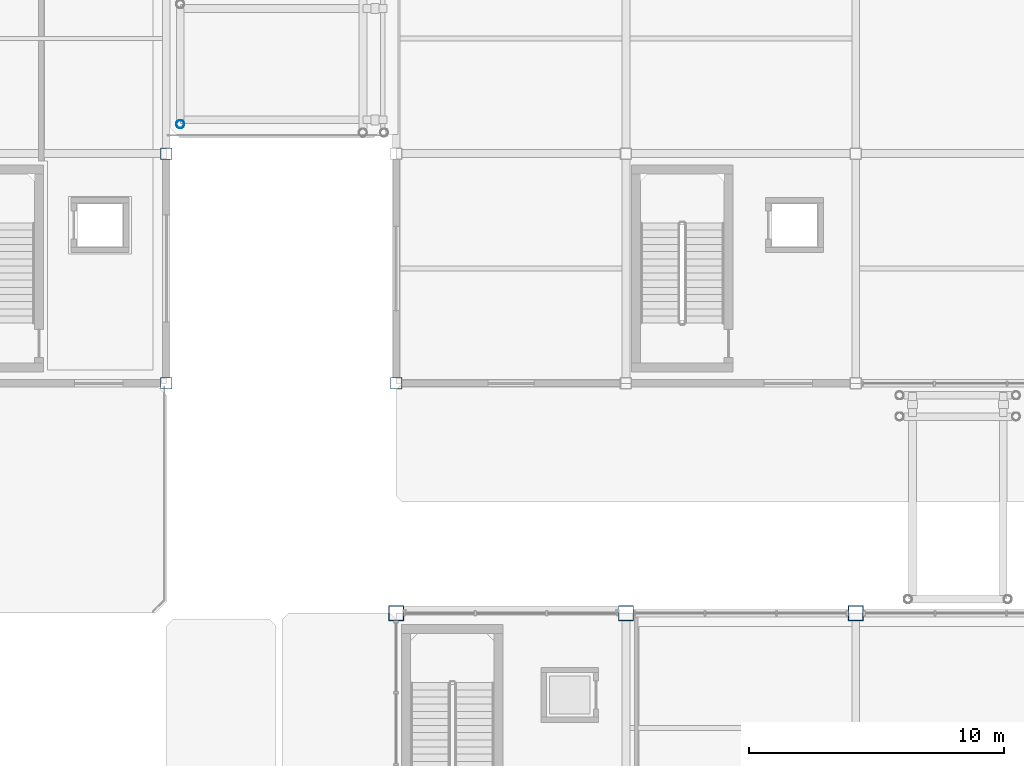
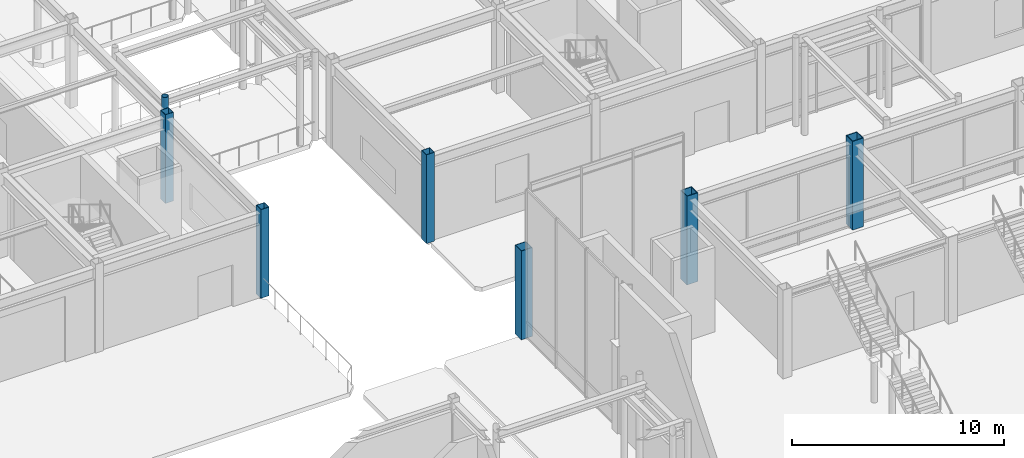
# One storey, part 14 of 123: 7 columns.
"""IFC4 building model written with IfcOpenShell, lengths in metres."""

from ifc_helpers import new_model, si_unit, direction, frame, origin, origin_2d, place, context, subcontext, project, spatial, hollow_rectangle, hollow_circle, extrude, material, material_profile, profile_set, type_object, element, save


model = new_model("IFC4")

# Units and contexts
model_context = context("Model", 3, precision=1e-05, world=origin(), true_north=direction((0.0, 1.0)))
body_context = subcontext(model_context, "Body", "Model", "MODEL_VIEW")
ifc_project = project(units=[si_unit("LENGTHUNIT", "METRE"), si_unit("AREAUNIT", "SQUARE_METRE"), si_unit("VOLUMEUNIT", "CUBIC_METRE"), si_unit("PLANEANGLEUNIT", "RADIAN"), si_unit("MASSUNIT", "GRAM", prefix="KILO")], contexts=[model_context])

# Site, building, storey
site_placement = place(None, origin())
site = spatial("IfcSite", under=ifc_project, at=site_placement, CompositionType="ELEMENT")
building_placement = place(site_placement, origin())
building = spatial("IfcBuilding", under=site, at=building_placement, Name="Suzunagisa Mobility Hub", CompositionType="ELEMENT")
storey_placement = place(building_placement, origin())
storey = spatial("IfcBuildingStorey", under=building, at=storey_placement, Name="L00", CompositionType="ELEMENT", Elevation=0.0)

# Columns
ifc_material = material(Name="Steel SN490B", Category="steel")
ifc_material_profile_1 = material_profile(ifc_material, hollow_rectangle(XDim=0.60009765625, YDim=0.60009765625, WallThickness=0.031982421875, at=origin_2d()), Name="BOX-600x600x32")
ifc_profile_set_1 = profile_set([ifc_material_profile_1], Name="Steel SN490B")
column_type_1 = type_object("IfcColumnType", Name="Steel Column CL-05 BOX-600x600x32", PredefinedType="COLUMN", material=ifc_profile_set_1)
for number, where, z_axis, x_axis, name in (
    (1, (45.0, 71.0, 0.0), (0.0, 0.0, 1.0), (1.0, 0.0, 0.0), "L00 Column 117"),
    (2, (54.0, 71.0, 0.0), (0.0, 0.0, 1.0), (1.0, 0.0, 0.0), "L00 Column 128"),
    (3, (63.0, 71.0, 0.0), (0.0, 0.0, 1.0), (1.0, 0.0, 0.0), "L00 Column 137"),
):
    element("IfcColumn", number, at=place(storey_placement, frame(where, z_axis=z_axis, x_axis=x_axis)), inside=storey, type_object=column_type_1, Name=name, PredefinedType="COLUMN", context=body_context, shape_type="SweptSolid", body=[
        extrude(hollow_rectangle(XDim=0.60009765625, YDim=0.60009765625, WallThickness=0.031982421875, at=origin_2d()), origin(), (0.0, 0.0, 1.0), 5.10009765625),
    ])
ifc_material_profile_2 = material_profile(ifc_material, hollow_circle(Radius=0.1591796875, WallThickness=0.01025390625, at=origin_2d()), Name="CHS-318.5x10.3")
ifc_profile_set_2 = profile_set([ifc_material_profile_2], Name="Steel SN490B")
column_type_2 = type_object("IfcColumnType", Name="Steel Column CL-09 CHS-318.5x10.3", PredefinedType="COLUMN", material=ifc_profile_set_2)
column_placement = place(storey_placement, frame((36.550048828125, 90.14990234375, 0.0), z_axis=(0.0, 0.0, 1.0), x_axis=(1.0, 0.0, 0.0)))
element("IfcColumn", 4, at=column_placement, inside=storey, type_object=column_type_2, Name="L00 Column 92", PredefinedType="COLUMN", context=body_context, shape_type="SweptSolid", body=[
    extrude(hollow_circle(Radius=0.1591796875, WallThickness=0.01025390625, at=origin_2d()), origin(), (0.0, 0.0, 1.0), 5.10009765625),
])
ifc_material_profile_3 = material_profile(ifc_material, hollow_rectangle(XDim=0.449951171875, YDim=0.449951171875, WallThickness=0.02197265625, at=origin_2d()), Name="BCR-450x450x22")
ifc_profile_set_3 = profile_set([ifc_material_profile_3], Name="Steel SN490B")
column_type_3 = type_object("IfcColumnType", Name="Steel Column CL-17 BCR-450x450x22", PredefinedType="COLUMN", material=ifc_profile_set_3)
for number, where, z_axis, x_axis, name in (
    (5, (36.0, 80.0, 0.0), (0.0, 0.0, 1.0), (1.0, 0.0, 0.0), "L00 Column 85"),
    (6, (36.0, 89.0, 0.0), (0.0, 0.0, 1.0), (1.0, 0.0, 0.0), "L00 Column 86"),
    (7, (45.0, 80.0, 0.0), (0.0, 0.0, 1.0), (1.0, 0.0, 0.0), "L00 Column 118"),
):
    element("IfcColumn", number, at=place(storey_placement, frame(where, z_axis=z_axis, x_axis=x_axis)), inside=storey, type_object=column_type_3, Name=name, PredefinedType="COLUMN", context=body_context, shape_type="SweptSolid", body=[
        extrude(hollow_rectangle(XDim=0.449951171875, YDim=0.449951171875, WallThickness=0.02197265625, at=origin_2d()), origin(), (0.0, 0.0, 1.0), 5.10009765625),
    ])

save(model, "model.ifc")
